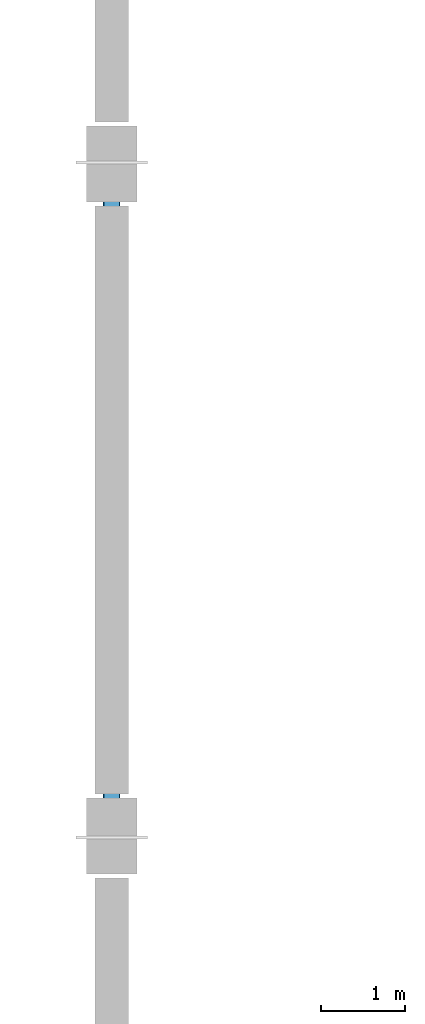
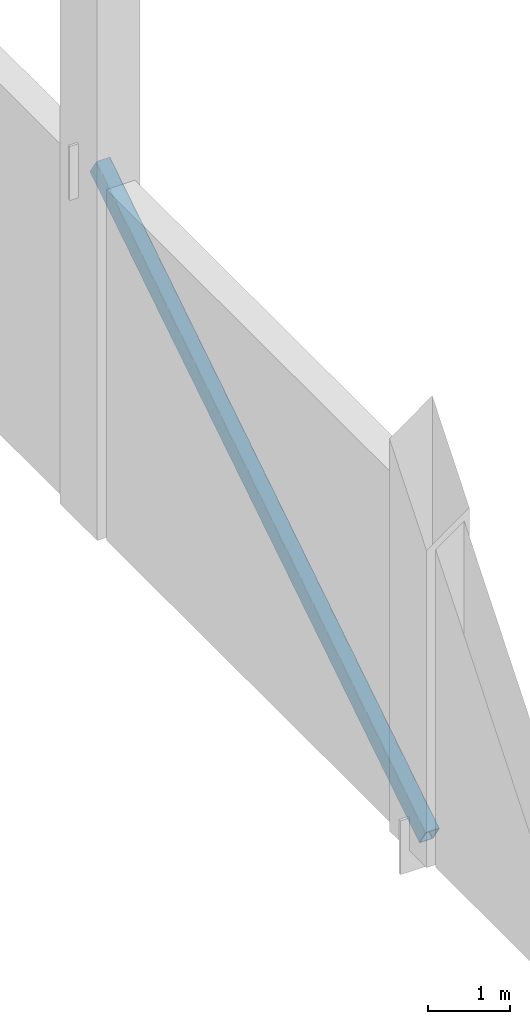
# One storey, part 33 of 84: 1 member.
"""IFC4 building model written with IfcOpenShell, lengths in metres."""

from ifc_helpers import new_model, si_unit, direction, frame, origin, origin_2d, place, context, subcontext, project, spatial, hollow_rectangle, extrude, material, material_profile, profile_set, type_object, element, save


model = new_model("IFC4")

# Units and contexts
model_context = context("Model", 3, precision=1e-05, world=origin(), true_north=direction((0.0, 1.0)))
body_context = subcontext(model_context, "Body", "Model", "MODEL_VIEW")
ifc_project = project(units=[si_unit("LENGTHUNIT", "METRE"), si_unit("AREAUNIT", "SQUARE_METRE"), si_unit("VOLUMEUNIT", "CUBIC_METRE"), si_unit("PLANEANGLEUNIT", "RADIAN"), si_unit("MASSUNIT", "GRAM", prefix="KILO")], contexts=[model_context])

# Site, building, storey
site_placement = place(None, origin())
site = spatial("IfcSite", under=ifc_project, at=site_placement, CompositionType="ELEMENT")
building_placement = place(site_placement, origin())
building = spatial("IfcBuilding", under=site, at=building_placement, Name="Tlacozan Convention Centre", CompositionType="ELEMENT")
storey_placement = place(building_placement, frame((0.0, 0.0, 6.0)))
storey = spatial("IfcBuildingStorey", under=building, at=storey_placement, Name="L01", CompositionType="ELEMENT", Elevation=6.0)

# Member
ifc_material = material(Name="Steel ASTM A500 Grade C", Category="steel")
ifc_material_profile = material_profile(ifc_material, hollow_rectangle(XDim=0.203125, YDim=0.3046875, WallThickness=0.0126953125, InnerFilletRadius=0.0126953125, OuterFilletRadius=0.02490234375, at=origin_2d()), Name="OR 305x203x12.7")
ifc_profile_set = profile_set([ifc_material_profile], Name="Steel ASTM A500 Grade C")
member_type = type_object("IfcMemberType", Name="Lateral Frame Brace OR 305x203x12.7", PredefinedType="BRACE", material=ifc_profile_set)
member_placement = place(storey_placement, frame((0.0, 70.0, 0.10009765625), z_axis=(0.0, 0.843234196711, 0.537546360324), x_axis=(-1.0, 0.0, 0.0)))
element("IfcMember", 1, at=member_placement, inside=storey, type_object=member_type, Name="L01 Vertical Portal Brace 5", PredefinedType="BRACE", context=body_context, shape_type="SweptSolid", body=[
    extrude(hollow_rectangle(XDim=0.203125, YDim=0.3046875, WallThickness=0.0126953125, InnerFilletRadius=0.0126953125, OuterFilletRadius=0.02490234375, at=origin_2d()), origin(), (0.0, 0.0, 1.0), 9.4873046875),
])

save(model, "model.ifc")
